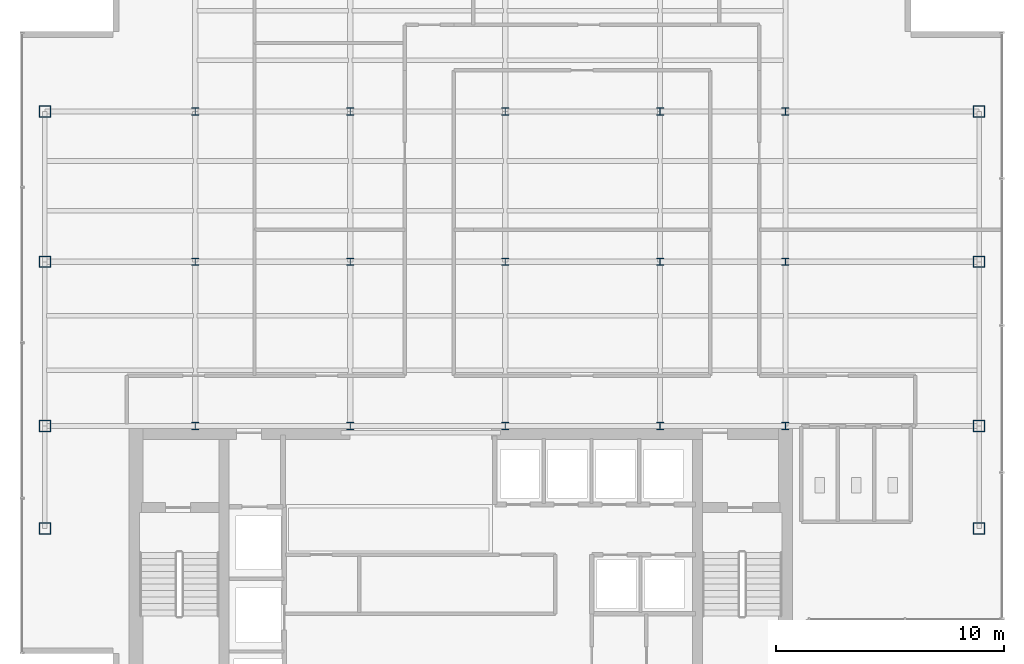
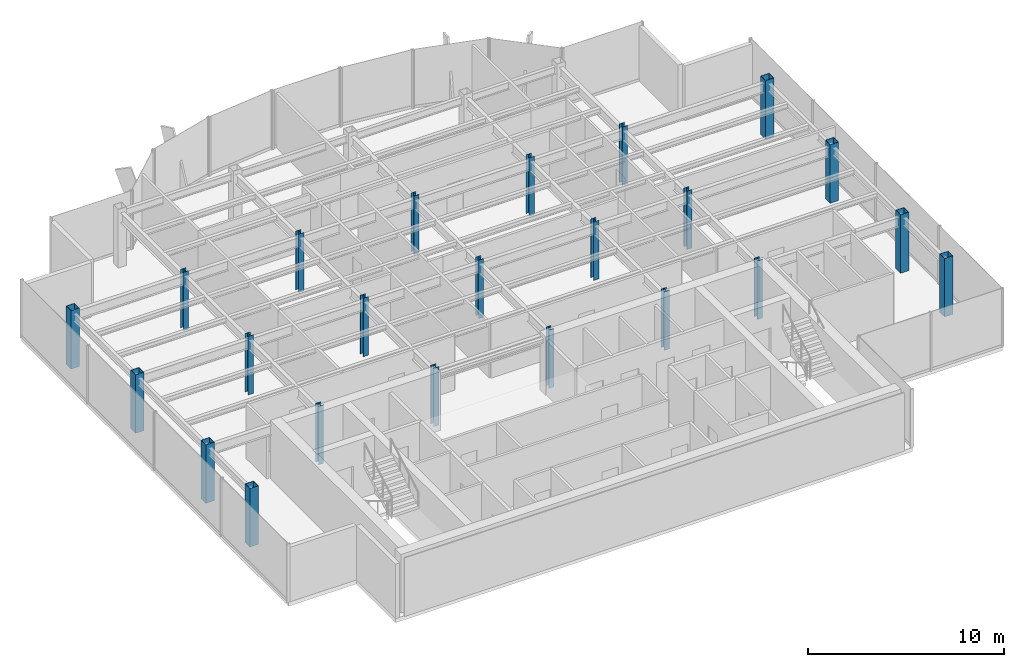
# One storey, part 1 of 22: 23 columns.
"""IFC4 building model written with IfcOpenShell, lengths in metres."""

from ifc_helpers import new_model, si_unit, derived_unit, direction, frame, origin, origin_2d, place, context, subcontext, project, spatial, hollow_rectangle, i_section, extrude, source, transform, mapped, material, material_profile, profile_set, type_object, element, save


model = new_model("IFC4")

# Units and contexts
model_context = context("Model", 3, precision=1e-05, world=origin(), true_north=direction((0.0, 1.0)))
body_context = subcontext(model_context, "Body", "Model", "MODEL_VIEW")
ifc_project = project(units=[si_unit("LENGTHUNIT", "METRE"), si_unit("AREAUNIT", "SQUARE_METRE"), si_unit("VOLUMEUNIT", "CUBIC_METRE"), si_unit("PLANEANGLEUNIT", "RADIAN"), si_unit("MASSUNIT", "GRAM", prefix="KILO"), derived_unit("THERMALTRANSMITTANCEUNIT", [(si_unit("POWERUNIT", "WATT"), 1), (si_unit("LENGTHUNIT", "METRE"), -2), (si_unit("THERMODYNAMICTEMPERATUREUNIT", "KELVIN"), -1)])], contexts=[model_context])

# Site, building, storey
site_placement = place(None, origin())
site = spatial("IfcSite", under=ifc_project, at=site_placement, CompositionType="ELEMENT")
building_placement = place(site_placement, origin())
building = spatial("IfcBuilding", under=site, at=building_placement, Name="Skarnbrae Concourse Arena and Tower", CompositionType="ELEMENT")
storey_placement = place(building_placement, frame((0.0, 0.0, 269.75)))
storey = spatial("IfcBuildingStorey", under=building, at=storey_placement, Name="L70", CompositionType="ELEMENT", Elevation=269.75)

# Columns
ifc_material = material(Name="Steel CSA G40.21 350W", Category="steel")
ifc_material_profile_1 = material_profile(ifc_material, hollow_rectangle(XDim=0.5, YDim=0.5, WallThickness=0.02197265625, at=origin_2d()), Name="HSS500X500X22.0")
ifc_profile_set_1 = profile_set([ifc_material_profile_1], Name="Steel CSA G40.21 350W")
column_type_1 = type_object("IfcColumnType", Name="COL-TUBE-HSS500", PredefinedType="COLUMN", material=ifc_profile_set_1)
shared_shape_1 = source(origin(), body_context, "Body", "SweptSolid", [
    extrude(hollow_rectangle(XDim=0.5, YDim=0.5, WallThickness=0.02197265625, at=origin_2d()), origin(), (0.0, 0.0, 1.0), 3.64990234375),
])
for number, where, z_axis, x_axis, name in (
    (1, (1.0, 9.5, 0.0), (0.0, 0.0, 1.0), (1.0, 0.0, 0.0), "L70 Tower column PC_01_01"),
    (2, (1.0, 14.0, 0.0), (0.0, 0.0, 1.0), (1.0, 0.0, 0.0), "L70 Tower column PC_01_02"),
    (3, (1.0, 21.199951171875, 0.0), (0.0, 0.0, 1.0), (1.0, 0.0, 0.0), "L70 Tower column PC_01_03"),
    (4, (1.0, 27.800048828125, 0.0), (0.0, 0.0, 1.0), (1.0, 0.0, 0.0), "L70 Tower column PC_01_04"),
    (5, (42.0, 9.5, 0.0), (0.0, 0.0, 1.0), (1.0, 0.0, 0.0), "L70 Tower column PC_07_01"),
    (6, (42.0, 14.0, 0.0), (0.0, 0.0, 1.0), (1.0, 0.0, 0.0), "L70 Tower column PC_07_02"),
    (7, (42.0, 21.199951171875, 0.0), (0.0, 0.0, 1.0), (1.0, 0.0, 0.0), "L70 Tower column PC_07_03"),
    (8, (42.0, 27.800048828125, 0.0), (0.0, 0.0, 1.0), (1.0, 0.0, 0.0), "L70 Tower column PC_07_04"),
):
    element("IfcColumn", number, at=place(storey_placement, frame(where, z_axis=z_axis, x_axis=x_axis)), inside=storey, type_object=column_type_1, Name=name, PredefinedType="COLUMN", context=body_context, shape_type="MappedRepresentation", body=[
        mapped(shared_shape_1, transform((0.0, 0.0, 0.0))),
    ])
ifc_material_profile_2 = material_profile(ifc_material, i_section(OverallWidth=0.30908203125, OverallDepth=0.322998046875, WebThickness=0.013916015625, FlangeThickness=0.02294921875, at=origin_2d()), Name="W310X143")
ifc_profile_set_2 = profile_set([ifc_material_profile_2], Name="Steel CSA G40.21 350W")
column_type_2 = type_object("IfcColumnType", Name="COL-INT-W310X143", PredefinedType="COLUMN", material=ifc_profile_set_2)
shared_shape_2 = source(origin(), body_context, "Body", "SweptSolid", [
    extrude(i_section(OverallWidth=0.30908203125, OverallDepth=0.322998046875, WebThickness=0.013916015625, FlangeThickness=0.02294921875, at=origin_2d()), origin(), (0.0, 0.0, 1.0), 3.64990234375),
])
for number, where, z_axis, x_axis, name in (
    (9, (7.60009765625, 14.0, 0.0), (0.0, 0.0, 1.0), (1.0, 0.0, 0.0), "L70 Tower column IC_02_02"),
    (10, (7.60009765625, 21.199951171875, 0.0), (0.0, 0.0, 1.0), (1.0, 0.0, 0.0), "L70 Tower column IC_02_03"),
    (11, (7.60009765625, 27.800048828125, 0.0), (0.0, 0.0, 1.0), (1.0, 0.0, 0.0), "L70 Tower column IC_02_04"),
    (12, (14.39990234375, 14.0, 0.0), (0.0, 0.0, 1.0), (1.0, 0.0, 0.0), "L70 Tower column IC_03_02"),
    (13, (14.39990234375, 21.199951171875, 0.0), (0.0, 0.0, 1.0), (1.0, 0.0, 0.0), "L70 Tower column IC_03_03"),
    (14, (14.39990234375, 27.800048828125, 0.0), (0.0, 0.0, 1.0), (1.0, 0.0, 0.0), "L70 Tower column IC_03_04"),
    (15, (21.199951171875, 14.0, 0.0), (0.0, 0.0, 1.0), (1.0, 0.0, 0.0), "L70 Tower column IC_04_02"),
    (16, (21.199951171875, 21.199951171875, 0.0), (0.0, 0.0, 1.0), (1.0, 0.0, 0.0), "L70 Tower column IC_04_03"),
    (17, (21.199951171875, 27.800048828125, 0.0), (0.0, 0.0, 1.0), (1.0, 0.0, 0.0), "L70 Tower column IC_04_04"),
    (18, (28.0, 14.0, 0.0), (0.0, 0.0, 1.0), (1.0, 0.0, 0.0), "L70 Tower column IC_05_02"),
    (19, (28.0, 21.199951171875, 0.0), (0.0, 0.0, 1.0), (1.0, 0.0, 0.0), "L70 Tower column IC_05_03"),
    (20, (28.0, 27.800048828125, 0.0), (0.0, 0.0, 1.0), (1.0, 0.0, 0.0), "L70 Tower column IC_05_04"),
    (21, (33.5, 14.0, 0.0), (0.0, 0.0, 1.0), (1.0, 0.0, 0.0), "L70 Tower column IC_06_02"),
    (22, (33.5, 21.199951171875, 0.0), (0.0, 0.0, 1.0), (1.0, 0.0, 0.0), "L70 Tower column IC_06_03"),
    (23, (33.5, 27.800048828125, 0.0), (0.0, 0.0, 1.0), (1.0, 0.0, 0.0), "L70 Tower column IC_06_04"),
):
    element("IfcColumn", number, at=place(storey_placement, frame(where, z_axis=z_axis, x_axis=x_axis)), inside=storey, type_object=column_type_2, Name=name, PredefinedType="COLUMN", context=body_context, shape_type="MappedRepresentation", body=[
        mapped(shared_shape_2, transform((0.0, 0.0, 0.0))),
    ])

save(model, "model.ifc")
